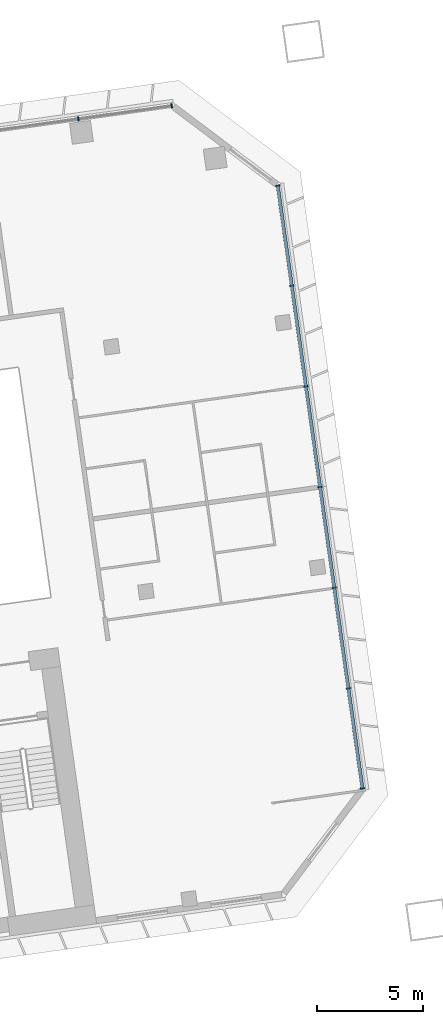
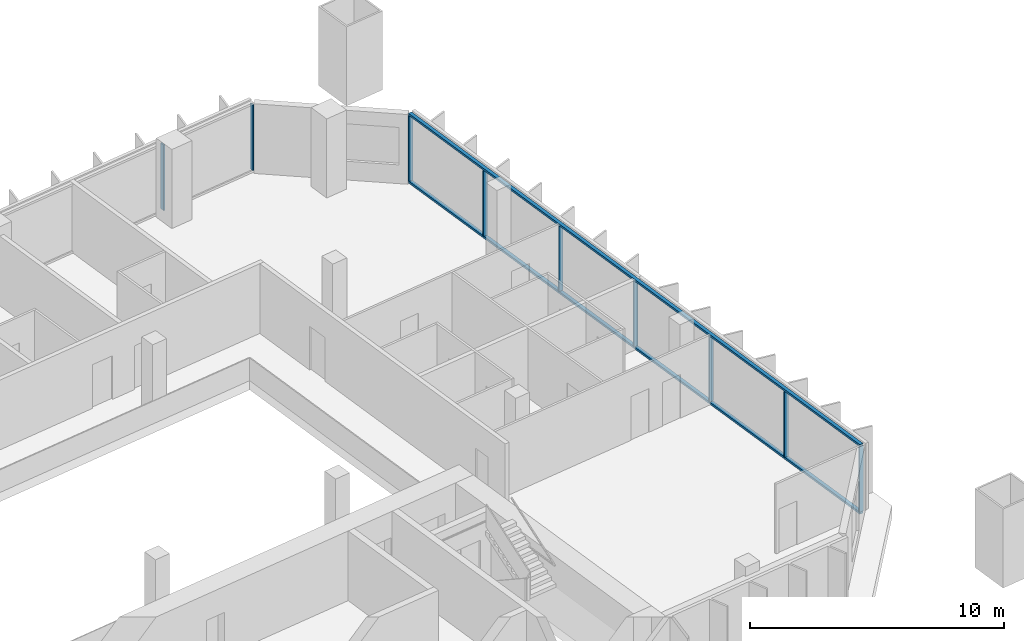
# One storey, part 11 of 24: 11 members, 2 elements without a shape of their own.
"""IFC4 building model written with IfcOpenShell, lengths in metres."""

from ifc_helpers import new_model, si_unit, direction, frame, origin, origin_2d, place, context, subcontext, project, spatial, rectangle, extrude, material, material_profile, profile_set, type_object, element, aggregate, save


model = new_model("IFC4")

# Units and contexts
model_context = context("Model", 3, precision=1e-05, world=origin(), true_north=direction((0.0, 1.0)))
body_context = subcontext(model_context, "Body", "Model", "MODEL_VIEW")
ifc_project = project(units=[si_unit("LENGTHUNIT", "METRE"), si_unit("AREAUNIT", "SQUARE_METRE"), si_unit("VOLUMEUNIT", "CUBIC_METRE"), si_unit("PLANEANGLEUNIT", "RADIAN"), si_unit("MASSUNIT", "GRAM", prefix="KILO")], contexts=[model_context])

# Site, building, storey
site_placement = place(None, origin())
site = spatial("IfcSite", under=ifc_project, at=site_placement, CompositionType="ELEMENT")
building_placement = place(site_placement, origin())
building = spatial("IfcBuilding", under=site, at=building_placement, Name="Mirante Cascada Hotel Towers", CompositionType="ELEMENT")
storey_placement = place(building_placement, frame((0.0, 0.0, 47.1)))
storey = spatial("IfcBuildingStorey", under=building, at=storey_placement, Name="L08", CompositionType="ELEMENT", Elevation=47.1)

# Curtain wall, members
ifc_material_1 = material(Name="Aluminium mullion and transom frame with clear laminated glass", Category="aluminium")
curtain_wall_type_1 = type_object("IfcCurtainWallType", Name="Ribbon curtain wall ECW1", PredefinedType="NOTDEFINED", material=ifc_material_1)
curtain_wall_1_placement = place(storey_placement, origin())
curtain_wall_1 = element("IfcCurtainWall", 1, at=curtain_wall_1_placement, inside=storey, type_object=curtain_wall_type_1, Name="Front ribbon wall T2 L08", PredefinedType="NOTDEFINED")
ifc_material_2 = material(Name="Anodised aluminium extrusion", Category="aluminium")
ifc_material_profile_1 = material_profile(ifc_material_2, rectangle(XDim=0.2, YDim=0.065, at=origin_2d()), Name="ECW1 MULLION 65x200")
ifc_profile_set_1 = profile_set([ifc_material_profile_1], Name="Anodised aluminium extrusion")
member_type_1 = type_object("IfcMemberType", Name="ECW1 mullion 65x200", PredefinedType="MULLION", material=ifc_profile_set_1)
member_1_placement = place(storey_placement, frame((94.126, 26.0476, 0.1), z_axis=(0.0, 0.0, 1.0), x_axis=(0.1391731, -0.9902681, 0.0)))
member_1 = element("IfcMember", 2, at=member_1_placement, type_object=member_type_1, Name="ECW1 mullion 1", PredefinedType="MULLION", context=body_context, shape_type="SweptSolid", body=[
    extrude(rectangle(XDim=0.2, YDim=0.065, at=origin_2d()), origin(), (0.0, 0.0, 1.0), 3.15),
])
member_2_placement = place(storey_placement, frame((89.7107, 25.427, 0.1), z_axis=(0.0, 0.0, 1.0), x_axis=(0.1391731, -0.9902681, 0.0)))
member_2 = element("IfcMember", 3, at=member_2_placement, type_object=member_type_1, Name="ECW1 mullion 2", PredefinedType="MULLION", context=body_context, shape_type="SweptSolid", body=[
    extrude(rectangle(XDim=0.2, YDim=0.065, at=origin_2d()), origin(), (0.0, 0.0, 1.0), 3.15),
])
aggregate(curtain_wall_1, [member_1, member_2])

ifc_material_3 = material(Name="Aluminium mullion and transom frame with clear laminated glass", Category="aluminium")
curtain_wall_type_2 = type_object("IfcCurtainWallType", Name="End ribbon curtain wall ECW2", PredefinedType="NOTDEFINED", material=ifc_material_3)
curtain_wall_2_placement = place(storey_placement, origin())
curtain_wall_2 = element("IfcCurtainWall", 4, at=curtain_wall_2_placement, inside=storey, type_object=curtain_wall_type_2, Name="Outer end wall T2 L08", PredefinedType="NOTDEFINED")
ifc_material_4 = material(Name="Anodised aluminium extrusion", Category="aluminium")
ifc_material_profile_2 = material_profile(ifc_material_4, rectangle(XDim=0.2, YDim=0.065, at=origin_2d()), Name="ECW2 MULLION 65x200")
ifc_profile_set_2 = profile_set([ifc_material_profile_2], Name="Anodised aluminium extrusion")
member_type_2 = type_object("IfcMemberType", Name="ECW2 mullion 65x200", PredefinedType="MULLION", material=ifc_profile_set_2)
member_3_placement = place(storey_placement, frame((103.1556, -6.2656, 0.1), z_axis=(0.0, 0.0, 1.0), x_axis=(-0.9902681, -0.1391731, 0.0)))
member_3 = element("IfcMember", 5, at=member_3_placement, type_object=member_type_2, Name="ECW2 mullion 1", PredefinedType="MULLION", context=body_context, shape_type="SweptSolid", body=[
    extrude(rectangle(XDim=0.2, YDim=0.065, at=origin_2d()), origin(), (0.0, 0.0, 1.0), 3.15),
])
member_4_placement = place(storey_placement, frame((102.4903, -1.532, 0.1), z_axis=(0.0, 0.0, 1.0), x_axis=(-0.9902681, -0.1391731, 0.0)))
member_4 = element("IfcMember", 6, at=member_4_placement, type_object=member_type_2, Name="ECW2 mullion 2", PredefinedType="MULLION", context=body_context, shape_type="SweptSolid", body=[
    extrude(rectangle(XDim=0.2, YDim=0.065, at=origin_2d()), origin(), (0.0, 0.0, 1.0), 3.15),
])
member_5_placement = place(storey_placement, frame((101.8205, 3.2338, 0.1), z_axis=(0.0, 0.0, 1.0), x_axis=(-0.9902681, -0.1391731, 0.0)))
member_5 = element("IfcMember", 7, at=member_5_placement, type_object=member_type_2, Name="ECW2 mullion 3", PredefinedType="MULLION", context=body_context, shape_type="SweptSolid", body=[
    extrude(rectangle(XDim=0.2, YDim=0.065, at=origin_2d()), origin(), (0.0, 0.0, 1.0), 3.15),
])
member_6_placement = place(storey_placement, frame((101.1508, 7.9996, 0.1), z_axis=(0.0, 0.0, 1.0), x_axis=(-0.9902681, -0.1391731, 0.0)))
member_6 = element("IfcMember", 8, at=member_6_placement, type_object=member_type_2, Name="ECW2 mullion 4", PredefinedType="MULLION", context=body_context, shape_type="SweptSolid", body=[
    extrude(rectangle(XDim=0.2, YDim=0.065, at=origin_2d()), origin(), (0.0, 0.0, 1.0), 3.15),
])
member_7_placement = place(storey_placement, frame((100.481, 12.7654, 0.1), z_axis=(0.0, 0.0, 1.0), x_axis=(-0.9902681, -0.1391731, 0.0)))
member_7 = element("IfcMember", 9, at=member_7_placement, type_object=member_type_2, Name="ECW2 mullion 5", PredefinedType="MULLION", context=body_context, shape_type="SweptSolid", body=[
    extrude(rectangle(XDim=0.2, YDim=0.065, at=origin_2d()), origin(), (0.0, 0.0, 1.0), 3.15),
])
member_8_placement = place(storey_placement, frame((99.8112, 17.5312, 0.1), z_axis=(0.0, 0.0, 1.0), x_axis=(-0.9902681, -0.1391731, 0.0)))
member_8 = element("IfcMember", 10, at=member_8_placement, type_object=member_type_2, Name="ECW2 mullion 6", PredefinedType="MULLION", context=body_context, shape_type="SweptSolid", body=[
    extrude(rectangle(XDim=0.2, YDim=0.065, at=origin_2d()), origin(), (0.0, 0.0, 1.0), 3.15),
])
member_9_placement = place(storey_placement, frame((99.1459, 22.2648, 0.1), z_axis=(0.0, 0.0, 1.0), x_axis=(-0.9902681, -0.1391731, 0.0)))
member_9 = element("IfcMember", 11, at=member_9_placement, type_object=member_type_2, Name="ECW2 mullion 7", PredefinedType="MULLION", context=body_context, shape_type="SweptSolid", body=[
    extrude(rectangle(XDim=0.2, YDim=0.065, at=origin_2d()), origin(), (0.0, 0.0, 1.0), 3.15),
])
ifc_material_5 = material(Name="Anodised aluminium extrusion", Category="aluminium")
ifc_material_profile_3 = material_profile(ifc_material_5, rectangle(XDim=0.16, YDim=0.1, at=origin_2d()), Name="ECW2 TRANSOM 100x160")
ifc_profile_set_3 = profile_set([ifc_material_profile_3], Name="Anodised aluminium extrusion")
member_type_3 = type_object("IfcMemberType", Name="ECW2 transom 100x160", PredefinedType="USERDEFINED", material=ifc_profile_set_3)
member_10_placement = place(storey_placement, frame((103.1601, -6.2978, 0.05), z_axis=(-0.1391723, 0.9902682, 0.0), x_axis=(-0.9902682, -0.1391723, 0.0)))
member_10 = element("IfcMember", 12, at=member_10_placement, type_object=member_type_3, Name="ECW2 sill transom", ObjectType="TRANSOM", PredefinedType="USERDEFINED", context=body_context, shape_type="SweptSolid", body=[
    extrude(rectangle(XDim=0.16, YDim=0.1, at=origin_2d()), origin(), (0.0, 0.0, 1.0), 28.8757),
])
member_11_placement = place(storey_placement, frame((103.1601, -6.2978, 3.3), z_axis=(-0.1391723, 0.9902682, 0.0), x_axis=(-0.9902682, -0.1391723, 0.0)))
member_11 = element("IfcMember", 13, at=member_11_placement, type_object=member_type_3, Name="ECW2 head transom", ObjectType="TRANSOM", PredefinedType="USERDEFINED", context=body_context, shape_type="SweptSolid", body=[
    extrude(rectangle(XDim=0.16, YDim=0.1, at=origin_2d()), origin(), (0.0, 0.0, 1.0), 28.8757),
])
aggregate(curtain_wall_2, [member_10, member_11, member_3, member_4, member_5, member_6, member_7, member_8, member_9])

save(model, "model.ifc")
